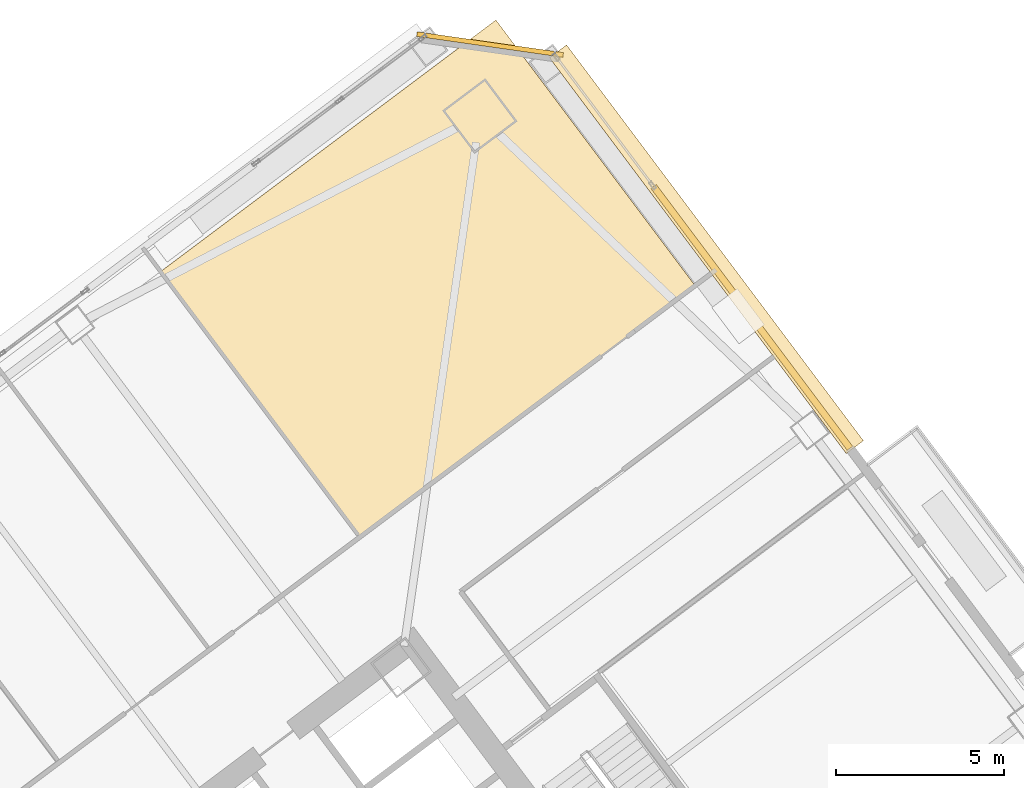
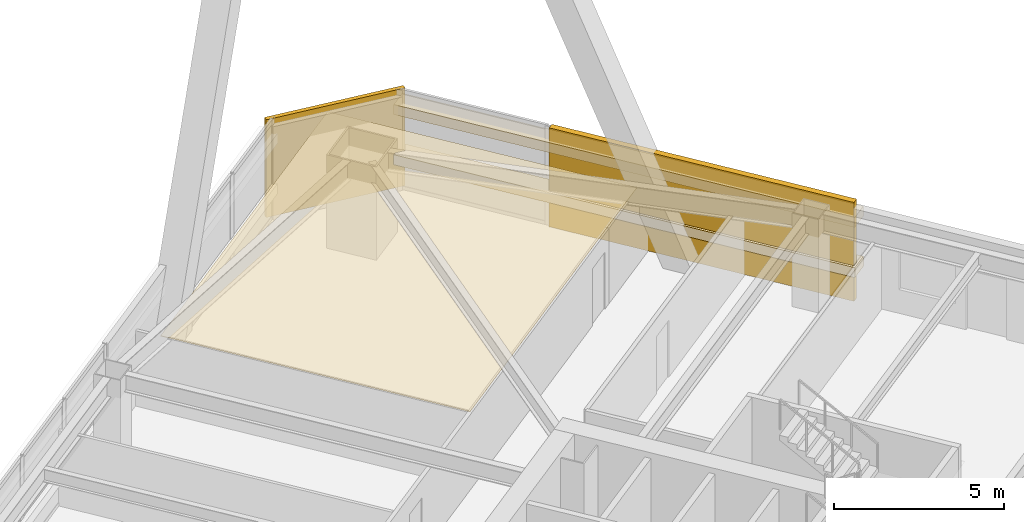
# One storey, part 75 of 75: 5 coverings.
"""IFC4 building model written with IfcOpenShell, lengths in metres."""

from ifc_helpers import new_model, si_unit, direction, frame, origin, origin_2d, place, context, subcontext, project, spatial, polyline, rectangle, outline, extrude, material, layer, layer_set, type_object, element, save


model = new_model("IFC4")

# Units and contexts
model_context = context("Model", 3, precision=1e-05, world=origin(), true_north=direction((0.0, 1.0)))
body_context = subcontext(model_context, "Body", "Model", "MODEL_VIEW")
ifc_project = project(units=[si_unit("LENGTHUNIT", "METRE"), si_unit("AREAUNIT", "SQUARE_METRE"), si_unit("VOLUMEUNIT", "CUBIC_METRE"), si_unit("PLANEANGLEUNIT", "RADIAN"), si_unit("MASSUNIT", "GRAM", prefix="KILO")], contexts=[model_context])

# Site, building, storey
site_placement = place(None, origin())
site = spatial("IfcSite", under=ifc_project, at=site_placement, CompositionType="ELEMENT")
building_placement = place(site_placement, origin())
building = spatial("IfcBuilding", under=site, at=building_placement, Name="Tashvorn Skyway Center", CompositionType="ELEMENT")
storey_placement = place(building_placement, frame((0.0, 0.0, 45.89990234375)))
storey = spatial("IfcBuildingStorey", under=building, at=storey_placement, Name="L11", CompositionType="ELEMENT", Elevation=45.89990234375)

# Coverings
ifc_material_1 = material(Name="Precast concrete C40/50", Category="concrete")
ifc_layer_1 = layer(ifc_material_1, 0.199951171875)
ifc_layer_set_1 = layer_set([ifc_layer_1], Name="Precast concrete C40/50")
covering_type_1 = type_object("IfcCoveringType", Name="COV-BRACE-CLAD", PredefinedType="CLADDING", material=ifc_layer_set_1)
covering_1_placement = place(storey_placement, frame((125.867919921875, 52.309326171875, 0.0), z_axis=(0.0, 0.0, 1.0), x_axis=(0.600000004945, -0.799999996291, 0.0)))
element("IfcCovering", 1, at=covering_1_placement, inside=storey, type_object=covering_type_1, Name="Tower 2 L11 East Curtain Wall L Mega-Brace Cladding Band 1", PredefinedType="CLADDING", context=body_context, shape_type="SweptSolid", body=[
    extrude(rectangle(XDim=9.75341796875, YDim=0.199951171875, at=origin_2d()), origin(), (0.0, 0.0, 1.0), 3.550048828125),
])
ifc_material_2 = material(Name="Mineral-fibre acoustic ceiling tile on suspended grid")
ifc_layer_2 = layer(ifc_material_2, 0.02001953125)
ifc_layer_set_2 = layer_set([ifc_layer_2], Name="Mineral-fibre acoustic ceiling tile on suspended grid")
covering_type_2 = type_object("IfcCoveringType", Name="COV-CEIL-20", PredefinedType="CEILING", material=ifc_layer_set_2)
covering_2_placement = place(storey_placement, frame((0.0, 0.0, 2.68310546875)))
element("IfcCovering", 2, at=covering_2_placement, inside=storey, type_object=covering_type_2, Name="Tower 2 L11 Research Library Acoustic Ceiling", PredefinedType="CEILING", context=body_context, shape_type="SweptSolid", body=[
    extrude(outline(polyline([(114.179931640625, 45.760009765625), (124.179931640625, 53.260009765625), (118.239990234375, 61.179931640625), (108.239990234375, 53.679931640625), (114.179931640625, 45.760009765625)])), origin(), (0.0, 0.0, 1.0), 0.02001953125),
])
ifc_material_3 = material(Name="Perforated ceramic-coated bronze aluminium solar screen", Category="aluminium")
ifc_layer_3 = layer(ifc_material_3, 0.85009765625)
ifc_layer_set_3 = layer_set([ifc_layer_3], Name="Perforated ceramic-coated bronze aluminium solar screen")
covering_type_3 = type_object("IfcCoveringType", Name="COV-SOLAR-BAND", PredefinedType="CLADDING", material=ifc_layer_set_3)
for number, where, z_axis, x_axis, name in (
    (3, (124.51708984375, 54.343994140625, 0.919921875), (0.0, 0.0, 1.0), (0.600000004945, -0.799999996291, 0.0), "L11 Perforated Ceramic-Metal Solar Screen Louvre Band East 1"),
    (4, (124.51708984375, 54.343994140625, 2.72021484375), (0.0, 0.0, 1.0), (0.600000004945, -0.799999996291, 0.0), "L11 Perforated Ceramic-Metal Solar Screen Louvre Band East 2"),
):
    element("IfcCovering", number, at=place(storey_placement, frame(where, z_axis=z_axis, x_axis=x_axis)), inside=storey, type_object=covering_type_3, Name=name, PredefinedType="CLADDING", context=body_context, shape_type="SweptSolid", body=[
        extrude(rectangle(XDim=14.75, YDim=0.639892578125, at=origin_2d()), origin(), (0.0, 0.0, 1.0), 0.360107421875),
    ])
ifc_layer_4 = layer(ifc_material_1, 0.35009765625)
ifc_layer_set_4 = layer_set([ifc_layer_4], Name="Precast concrete C40/50")
covering_type_4 = type_object("IfcCoveringType", Name="COV-STONE-TRIM", PredefinedType="CLADDING", material=ifc_layer_set_4)
covering_3_placement = place(storey_placement, frame((118.06396484375, 60.447998046875, 0.02001953125), z_axis=(0.0, 0.0, 1.0), x_axis=(0.989949494535, -0.141421350118, 0.0)))
element("IfcCovering", 5, at=covering_3_placement, inside=storey, type_object=covering_type_4, Name="Tower 2 L11 NE Mojave Limestone Corner Quoin", PredefinedType="CLADDING", context=body_context, shape_type="SweptSolid", body=[
    extrude(rectangle(XDim=4.402587890625, YDim=0.139892578125, at=origin_2d()), origin(), (0.0, 0.0, 1.0), 3.510009765625),
])

save(model, "model.ifc")
